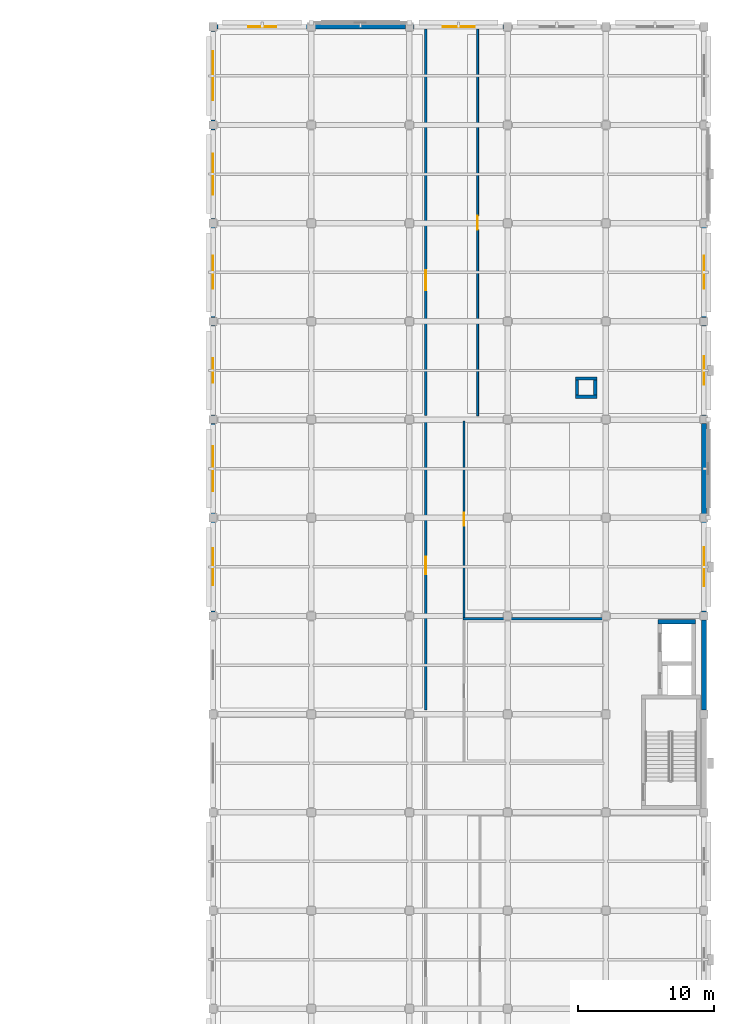
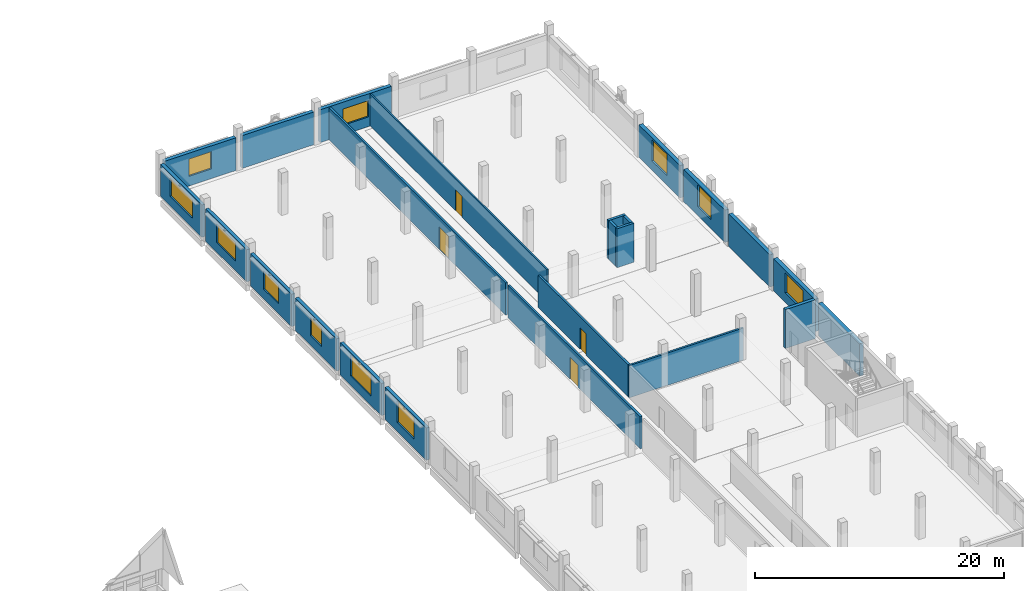
# One storey, part 48 of 62: 24 walls, 11 windows, 4 doors, 15 openings.
"""IFC4 building model written with IfcOpenShell, lengths in metres."""

from ifc_helpers import new_model, si_unit, direction, frame, frame_2d, origin, place, context, subcontext, project, spatial, rectangle, extrude, material, layer, layer_set, type_object, element, fill, save


model = new_model("IFC4")

# Units and contexts
model_context = context("Model", 3, precision=1e-05, world=origin(), true_north=direction((0.0, 1.0)))
body_context = subcontext(model_context, "Body", "Model", "MODEL_VIEW")
ifc_project = project(units=[si_unit("LENGTHUNIT", "METRE"), si_unit("AREAUNIT", "SQUARE_METRE"), si_unit("VOLUMEUNIT", "CUBIC_METRE"), si_unit("PLANEANGLEUNIT", "RADIAN"), si_unit("MASSUNIT", "GRAM", prefix="KILO")], contexts=[model_context])

# Site, building, storey
site_placement = place(None, origin())
site = spatial("IfcSite", under=ifc_project, at=site_placement, CompositionType="ELEMENT")
building_placement = place(site_placement, origin())
building = spatial("IfcBuilding", under=site, at=building_placement, Name="Valkovuoma Quantum and Materials Research Institute", CompositionType="ELEMENT")
storey_placement = place(building_placement, frame((0.0, 0.0, 13.1201171875)))
storey = spatial("IfcBuildingStorey", under=building, at=storey_placement, Name="L03", CompositionType="ELEMENT", Elevation=13.1201171875)

# Wall
ifc_material_1 = material(Name="Concrete C40/50", Category="concrete")
ifc_layer_1 = layer(ifc_material_1, 0.300048828125)
ifc_layer_set_1 = layer_set([ifc_layer_1], Name="Concrete C40/50")
wall_type_1 = type_object("IfcWallType", Name="Wall-W-COR300", PredefinedType="SHEAR", material=ifc_layer_set_1)
wall_1_placement = place(storey_placement, frame((162.219970703125, 71.580078125, 0.0), z_axis=(0.0, 0.0, 1.0), x_axis=(1.0, 0.0, 0.0)))
element("IfcWall", 1, at=wall_1_placement, inside=storey, type_object=wall_type_1, Name="L03 core wall 0235", PredefinedType="SHEAR", context=body_context, shape_type="SweptSolid", body=[
    extrude(rectangle(XDim=2.760009765625, YDim=0.300048828125, at=frame_2d((1.3798828125, 0.0))), origin(), (0.0, 0.0, 1.0), 3.809814453125),
])

# Wall, opening, window
ifc_material_2 = material(Name="Precast concrete C40/50", Category="concrete")
ifc_layer_2 = layer(ifc_material_2, 0.300048828125)
ifc_layer_set_2 = layer_set([ifc_layer_2], Name="Precast concrete C40/50")
wall_type_2 = type_object("IfcWallType", Name="Wall-W-EXT300", PredefinedType="SOLIDWALL", material=ifc_layer_set_2)
wall_2_placement = place(storey_placement, frame((129.60009765625, 72.2900390625, 0.0), z_axis=(0.0, 0.0, 1.0), x_axis=(0.0, 1.0, 0.0)))
wall_2 = element("IfcWall", 2, at=wall_2_placement, inside=storey, type_object=wall_type_2, Name="L03 exterior wall 0290", PredefinedType="SOLIDWALL", context=body_context, shape_type="SweptSolid", body=[
    extrude(rectangle(XDim=6.619873046875, YDim=0.300048828125, at=frame_2d((3.31005859375, 0.0))), origin(), (0.0, 0.0, 1.0), 3.159912109375),
])
opening_1_placement = place(wall_2_placement, frame((1.9599609375, 0.0, 0.89990234375)))
opening_1 = element("IfcOpeningElement", 3, at=opening_1_placement, cuts=wall_2, Name="Opening WN-WL04", PredefinedType="OPENING", context=body_context, shape_type="SweptSolid", body=[
    extrude(rectangle(XDim=2.699951171875, YDim=2.10009765625, at=frame_2d((1.35009765625, 1.050048828125))), frame((0.0, 0.16015625, 0.0), z_axis=(0.0, -1.0, 0.0), x_axis=(1.0, 0.0, 0.0)), (0.0, 0.0, 1.0), 0.320068359375),
])
ifc_material_3 = material(Name="Triple low-E argon glazing in thermally broken aluminium frame", Category="aluminium")
window_type_1 = type_object("IfcWindowType", Name="Win-WN-WL04", PartitioningType="SINGLE_PANEL", PredefinedType="WINDOW", material=ifc_material_3)
window_1_placement = place(opening_1_placement, origin())
window_1 = element("IfcWindow", 4, at=window_1_placement, inside=storey, type_object=window_type_1, Name="L03 window 0301", OverallHeight=2.10009765625, OverallWidth=2.699951171875, PartitioningType="SINGLE_PANEL", PredefinedType="WINDOW", context=body_context, shape_type="SweptSolid", body=[
    extrude(rectangle(XDim=2.699951171875, YDim=2.10009765625, at=frame_2d((1.35009765625, 1.050048828125))), frame((0.0, 0.030029296875, 0.0), z_axis=(0.0, -1.0, 0.0), x_axis=(1.0, 0.0, 0.0)), (0.0, 0.0, 1.0), 0.06005859375),
])
fill(opening_1, window_1)

wall_3_placement = place(storey_placement, frame((129.60009765625, 79.489990234375, 0.0), z_axis=(0.0, 0.0, 1.0), x_axis=(0.0, 1.0, 0.0)))
wall_3 = element("IfcWall", 5, at=wall_3_placement, inside=storey, type_object=wall_type_2, Name="L03 exterior wall 0291", PredefinedType="SOLIDWALL", context=body_context, shape_type="SweptSolid", body=[
    extrude(rectangle(XDim=6.6201171875, YDim=0.300048828125, at=frame_2d((3.31005859375, 0.0))), origin(), (0.0, 0.0, 1.0), 3.159912109375),
])
opening_2_placement = place(wall_3_placement, frame((1.659912109375, 0.0, 0.89990234375)))
opening_2 = element("IfcOpeningElement", 6, at=opening_2_placement, cuts=wall_3, Name="Opening WN-WL06", PredefinedType="OPENING", context=body_context, shape_type="SweptSolid", body=[
    extrude(rectangle(XDim=3.300048828125, YDim=2.10009765625, at=frame_2d((1.64990234375, 1.050048828125))), frame((0.0, 0.16015625, 0.0), z_axis=(0.0, -1.0, 0.0), x_axis=(1.0, 0.0, 0.0)), (0.0, 0.0, 1.0), 0.320068359375),
])
ifc_material_4 = material(Name="Triple low-E argon glazing in thermally broken aluminium frame", Category="aluminium")
window_type_2 = type_object("IfcWindowType", Name="Win-WN-WL06", PartitioningType="SINGLE_PANEL", PredefinedType="WINDOW", material=ifc_material_4)
window_2_placement = place(opening_2_placement, origin())
window_2 = element("IfcWindow", 7, at=window_2_placement, inside=storey, type_object=window_type_2, Name="L03 window 0302", OverallHeight=2.10009765625, OverallWidth=3.300048828125, PartitioningType="SINGLE_PANEL", PredefinedType="WINDOW", context=body_context, shape_type="SweptSolid", body=[
    extrude(rectangle(XDim=3.300048828125, YDim=2.10009765625, at=frame_2d((1.64990234375, 1.050048828125))), frame((0.0, 0.030029296875, 0.0), z_axis=(0.0, -1.0, 0.0), x_axis=(1.0, 0.0, 0.0)), (0.0, 0.0, 1.0), 0.06005859375),
])
fill(opening_2, window_2)

wall_4_placement = place(storey_placement, frame((129.60009765625, 86.68994140625, 0.0), z_axis=(0.0, 0.0, 1.0), x_axis=(0.0, 1.0, 0.0)))
wall_4 = element("IfcWall", 8, at=wall_4_placement, inside=storey, type_object=wall_type_2, Name="L03 exterior wall 0292", PredefinedType="SOLIDWALL", context=body_context, shape_type="SweptSolid", body=[
    extrude(rectangle(XDim=6.6201171875, YDim=0.300048828125, at=frame_2d((3.31005859375, 0.0))), origin(), (0.0, 0.0, 1.0), 3.159912109375),
])
opening_3_placement = place(wall_4_placement, frame((2.409912109375, 0.0, 0.949951171875)))
opening_3 = element("IfcOpeningElement", 9, at=opening_3_placement, cuts=wall_4, Name="Opening WN-WL08", PredefinedType="OPENING", context=body_context, shape_type="SweptSolid", body=[
    extrude(rectangle(XDim=1.800048828125, YDim=1.800048828125, at=frame_2d((0.89990234375, 0.89990234375))), frame((0.0, 0.16015625, 0.0), z_axis=(0.0, -1.0, 0.0), x_axis=(1.0, 0.0, 0.0)), (0.0, 0.0, 1.0), 0.320068359375),
])
ifc_material_5 = material(Name="Triple low-E argon glazing in thermally broken aluminium frame", Category="aluminium")
window_type_3 = type_object("IfcWindowType", Name="Win-WN-WL08", PartitioningType="SINGLE_PANEL", PredefinedType="WINDOW", material=ifc_material_5)
window_3_placement = place(opening_3_placement, origin())
window_3 = element("IfcWindow", 10, at=window_3_placement, inside=storey, type_object=window_type_3, Name="L03 window 0303", OverallHeight=1.800048828125, OverallWidth=1.800048828125, PartitioningType="SINGLE_PANEL", PredefinedType="WINDOW", context=body_context, shape_type="SweptSolid", body=[
    extrude(rectangle(XDim=1.800048828125, YDim=1.800048828125, at=frame_2d((0.89990234375, 0.89990234375))), frame((0.0, 0.030029296875, 0.0), z_axis=(0.0, -1.0, 0.0), x_axis=(1.0, 0.0, 0.0)), (0.0, 0.0, 1.0), 0.06005859375),
])
fill(opening_3, window_3)

wall_5_placement = place(storey_placement, frame((129.60009765625, 93.889892578125, 0.0), z_axis=(0.0, 0.0, 1.0), x_axis=(0.0, 1.0, 0.0)))
wall_5 = element("IfcWall", 11, at=wall_5_placement, inside=storey, type_object=wall_type_2, Name="L03 exterior wall 0293", PredefinedType="SOLIDWALL", context=body_context, shape_type="SweptSolid", body=[
    extrude(rectangle(XDim=6.6201171875, YDim=0.300048828125, at=frame_2d((3.31005859375, 0.0))), origin(), (0.0, 0.0, 1.0), 3.159912109375),
])
opening_4_placement = place(wall_5_placement, frame((2.110107421875, 0.0, 0.949951171875)))
opening_4 = element("IfcOpeningElement", 12, at=opening_4_placement, cuts=wall_5, Name="Opening WN-WL10", PredefinedType="OPENING", context=body_context, shape_type="SweptSolid", body=[
    extrude(rectangle(XDim=2.39990234375, YDim=1.800048828125, at=frame_2d((1.199951171875, 0.89990234375))), frame((0.0, 0.16015625, 0.0), z_axis=(0.0, -1.0, 0.0), x_axis=(1.0, 0.0, 0.0)), (0.0, 0.0, 1.0), 0.320068359375),
])
ifc_material_6 = material(Name="Triple low-E argon glazing in thermally broken aluminium frame", Category="aluminium")
window_type_4 = type_object("IfcWindowType", Name="Win-WN-WL10", PartitioningType="SINGLE_PANEL", PredefinedType="WINDOW", material=ifc_material_6)
window_4_placement = place(opening_4_placement, origin())
window_4 = element("IfcWindow", 13, at=window_4_placement, inside=storey, type_object=window_type_4, Name="L03 window 0304", OverallHeight=1.800048828125, OverallWidth=2.39990234375, PartitioningType="SINGLE_PANEL", PredefinedType="WINDOW", context=body_context, shape_type="SweptSolid", body=[
    extrude(rectangle(XDim=2.39990234375, YDim=1.800048828125, at=frame_2d((1.199951171875, 0.89990234375))), frame((0.0, 0.030029296875, 0.0), z_axis=(0.0, -1.0, 0.0), x_axis=(1.0, 0.0, 0.0)), (0.0, 0.0, 1.0), 0.06005859375),
])
fill(opening_4, window_4)

wall_6_placement = place(storey_placement, frame((129.60009765625, 101.090087890625, 0.0), z_axis=(0.0, 0.0, 1.0), x_axis=(0.0, 1.0, 0.0)))
wall_6 = element("IfcWall", 14, at=wall_6_placement, inside=storey, type_object=wall_type_2, Name="L03 exterior wall 0294", PredefinedType="SOLIDWALL", context=body_context, shape_type="SweptSolid", body=[
    extrude(rectangle(XDim=6.619873046875, YDim=0.300048828125, at=frame_2d((3.31005859375, 0.0))), origin(), (0.0, 0.0, 1.0), 3.159912109375),
])
opening_5_placement = place(wall_6_placement, frame((1.81005859375, 0.0, 0.949951171875)))
opening_5 = element("IfcOpeningElement", 15, at=opening_5_placement, cuts=wall_6, Name="Opening WN-WL12", PredefinedType="OPENING", context=body_context, shape_type="SweptSolid", body=[
    extrude(rectangle(XDim=3.0, YDim=1.800048828125, at=frame_2d((1.5, 0.89990234375))), frame((0.0, 0.16015625, 0.0), z_axis=(0.0, -1.0, 0.0), x_axis=(1.0, 0.0, 0.0)), (0.0, 0.0, 1.0), 0.320068359375),
])
ifc_material_7 = material(Name="Triple low-E argon glazing in thermally broken aluminium frame", Category="aluminium")
window_type_5 = type_object("IfcWindowType", Name="Win-WN-WL12", PartitioningType="SINGLE_PANEL", PredefinedType="WINDOW", material=ifc_material_7)
window_5_placement = place(opening_5_placement, origin())
window_5 = element("IfcWindow", 16, at=window_5_placement, inside=storey, type_object=window_type_5, Name="L03 window 0305", OverallHeight=1.800048828125, OverallWidth=3.0, PartitioningType="SINGLE_PANEL", PredefinedType="WINDOW", context=body_context, shape_type="SweptSolid", body=[
    extrude(rectangle(XDim=3.0, YDim=1.800048828125, at=frame_2d((1.5, 0.89990234375))), frame((0.0, 0.030029296875, 0.0), z_axis=(0.0, -1.0, 0.0), x_axis=(1.0, 0.0, 0.0)), (0.0, 0.0, 1.0), 0.06005859375),
])
fill(opening_5, window_5)

wall_7_placement = place(storey_placement, frame((129.60009765625, 108.2900390625, 0.0), z_axis=(0.0, 0.0, 1.0), x_axis=(0.0, 1.0, 0.0)))
wall_7 = element("IfcWall", 17, at=wall_7_placement, inside=storey, type_object=wall_type_2, Name="L03 exterior wall 0295", PredefinedType="SOLIDWALL", context=body_context, shape_type="SweptSolid", body=[
    extrude(rectangle(XDim=6.619873046875, YDim=0.300048828125, at=frame_2d((3.31005859375, 0.0))), origin(), (0.0, 0.0, 1.0), 3.159912109375),
])
opening_6_placement = place(wall_7_placement, frame((1.510009765625, 0.0, 0.949951171875)))
opening_6 = element("IfcOpeningElement", 18, at=opening_6_placement, cuts=wall_7, Name="Opening WN-WL14", PredefinedType="OPENING", context=body_context, shape_type="SweptSolid", body=[
    extrude(rectangle(XDim=3.60009765625, YDim=1.800048828125, at=frame_2d((1.800048828125, 0.89990234375))), frame((0.0, 0.16015625, 0.0), z_axis=(0.0, -1.0, 0.0), x_axis=(1.0, 0.0, 0.0)), (0.0, 0.0, 1.0), 0.320068359375),
])
ifc_material_8 = material(Name="Triple low-E argon glazing in thermally broken aluminium frame", Category="aluminium")
window_type_6 = type_object("IfcWindowType", Name="Win-WN-WL14", PartitioningType="SINGLE_PANEL", PredefinedType="WINDOW", material=ifc_material_8)
window_6_placement = place(opening_6_placement, origin())
window_6 = element("IfcWindow", 19, at=window_6_placement, inside=storey, type_object=window_type_6, Name="L03 window 0306", OverallHeight=1.800048828125, OverallWidth=3.60009765625, PartitioningType="SINGLE_PANEL", PredefinedType="WINDOW", context=body_context, shape_type="SweptSolid", body=[
    extrude(rectangle(XDim=3.60009765625, YDim=1.800048828125, at=frame_2d((1.800048828125, 0.89990234375))), frame((0.0, 0.030029296875, 0.0), z_axis=(0.0, -1.0, 0.0), x_axis=(1.0, 0.0, 0.0)), (0.0, 0.0, 1.0), 0.06005859375),
])
fill(opening_6, window_6)

ifc_material_9 = material(Name="Precast concrete C40/50", Category="concrete")
ifc_layer_3 = layer(ifc_material_9, 0.340087890625)
ifc_layer_set_3 = layer_set([ifc_layer_3], Name="Precast concrete C40/50")
wall_type_3 = type_object("IfcWallType", Name="Wall-W-EXT340", PredefinedType="SOLIDWALL", material=ifc_layer_set_3)
wall_8_placement = place(storey_placement, frame((129.889892578125, 115.199951171875, 0.0), z_axis=(0.0, 0.0, 1.0), x_axis=(1.0, 0.0, 0.0)))
wall_8 = element("IfcWall", 20, at=wall_8_placement, inside=storey, type_object=wall_type_3, Name="L03 exterior wall 0280", PredefinedType="SOLIDWALL", context=body_context, shape_type="SweptSolid", body=[
    extrude(rectangle(XDim=6.6201171875, YDim=0.340087890625, at=frame_2d((3.31005859375, 0.0))), origin(), (0.0, 0.0, 1.0), 3.2099609375),
])
opening_7_placement = place(wall_8_placement, frame((2.284912109375, 0.0, 0.949951171875)))
opening_7 = element("IfcOpeningElement", 21, at=opening_7_placement, cuts=wall_8, Name="Opening WN-EX12", PredefinedType="OPENING", context=body_context, shape_type="SweptSolid", body=[
    extrude(rectangle(XDim=2.050048828125, YDim=1.699951171875, at=frame_2d((1.02490234375, 0.85009765625))), frame((0.0, 0.18017578125, 0.0), z_axis=(0.0, -1.0, 0.0), x_axis=(1.0, 0.0, 0.0)), (0.0, 0.0, 1.0), 0.360107421875),
])
ifc_material_10 = material(Name="Triple low-E argon glazing in thermally broken aluminium frame", Category="aluminium")
window_type_7 = type_object("IfcWindowType", Name="Win-WN-EX12", PartitioningType="SINGLE_PANEL", PredefinedType="WINDOW", material=ifc_material_10)
window_7_placement = place(opening_7_placement, origin())
window_7 = element("IfcWindow", 22, at=window_7_placement, inside=storey, type_object=window_type_7, Name="L03 window 0292", OverallHeight=1.699951171875, OverallWidth=2.050048828125, PartitioningType="SINGLE_PANEL", PredefinedType="WINDOW", context=body_context, shape_type="SweptSolid", body=[
    extrude(rectangle(XDim=2.050048828125, YDim=1.699951171875, at=frame_2d((1.02490234375, 0.85009765625))), frame((0.0, 0.030029296875, 0.0), z_axis=(0.0, -1.0, 0.0), x_axis=(1.0, 0.0, 0.0)), (0.0, 0.0, 1.0), 0.06005859375),
])
fill(opening_7, window_7)

# Wall
wall_9_placement = place(storey_placement, frame((137.090087890625, 115.199951171875, 0.0), z_axis=(0.0, 0.0, 1.0), x_axis=(1.0, 0.0, 0.0)))
element("IfcWall", 23, at=wall_9_placement, inside=storey, type_object=wall_type_3, Name="L03 exterior wall 0281", PredefinedType="SOLIDWALL", context=body_context, shape_type="SweptSolid", body=[
    extrude(rectangle(XDim=6.619873046875, YDim=0.340087890625, at=frame_2d((3.31005859375, 0.0))), origin(), (0.0, 0.0, 1.0), 3.2099609375),
])

# Wall, opening, window
wall_10_placement = place(storey_placement, frame((144.2900390625, 115.199951171875, 0.0), z_axis=(0.0, 0.0, 1.0), x_axis=(1.0, 0.0, 0.0)))
wall_10 = element("IfcWall", 24, at=wall_10_placement, inside=storey, type_object=wall_type_3, Name="L03 exterior wall 0282", PredefinedType="SOLIDWALL", context=body_context, shape_type="SweptSolid", body=[
    extrude(rectangle(XDim=6.619873046875, YDim=0.340087890625, at=frame_2d((3.31005859375, 0.0))), origin(), (0.0, 0.0, 1.0), 3.2099609375),
])
opening_8_placement = place(wall_10_placement, frame((2.135009765625, 0.0, 0.949951171875)))
opening_8 = element("IfcOpeningElement", 25, at=opening_8_placement, cuts=wall_10, Name="Opening WN-EX14", PredefinedType="OPENING", context=body_context, shape_type="SweptSolid", body=[
    extrude(rectangle(XDim=2.35009765625, YDim=1.60009765625, at=frame_2d((1.175048828125, 0.800048828125))), frame((0.0, 0.18017578125, 0.0), z_axis=(0.0, -1.0, 0.0), x_axis=(1.0, 0.0, 0.0)), (0.0, 0.0, 1.0), 0.360107421875),
])
ifc_material_11 = material(Name="Triple low-E argon glazing in thermally broken aluminium frame", Category="aluminium")
window_type_8 = type_object("IfcWindowType", Name="Win-WN-EX14", PartitioningType="SINGLE_PANEL", PredefinedType="WINDOW", material=ifc_material_11)
window_8_placement = place(opening_8_placement, origin())
window_8 = element("IfcWindow", 26, at=window_8_placement, inside=storey, type_object=window_type_8, Name="L03 window 0293", OverallHeight=1.60009765625, OverallWidth=2.35009765625, PartitioningType="SINGLE_PANEL", PredefinedType="WINDOW", context=body_context, shape_type="SweptSolid", body=[
    extrude(rectangle(XDim=2.35009765625, YDim=1.60009765625, at=frame_2d((1.175048828125, 0.800048828125))), frame((0.0, 0.030029296875, 0.0), z_axis=(0.0, -1.0, 0.0), x_axis=(1.0, 0.0, 0.0)), (0.0, 0.0, 1.0), 0.06005859375),
])
fill(opening_8, window_8)

# Wall
ifc_material_12 = material(Name="Precast concrete C40/50", Category="concrete")
ifc_layer_4 = layer(ifc_material_12, 0.360107421875)
ifc_layer_set_4 = layer_set([ifc_layer_4], Name="Precast concrete C40/50")
wall_type_4 = type_object("IfcWallType", Name="Wall-W-EXT360", PredefinedType="SOLIDWALL", material=ifc_layer_set_4)
wall_11_placement = place(storey_placement, frame((165.60009765625, 65.090087890625, 0.0), z_axis=(0.0, 0.0, 1.0), x_axis=(0.0, 1.0, 0.0)))
element("IfcWall", 27, at=wall_11_placement, inside=storey, type_object=wall_type_4, Name="L03 exterior wall 0273", PredefinedType="SOLIDWALL", context=body_context, shape_type="SweptSolid", body=[
    extrude(rectangle(XDim=6.619873046875, YDim=0.360107421875, at=frame_2d((3.31005859375, 0.0))), origin(), (0.0, 0.0, 1.0), 3.159912109375),
])

# Wall, opening, window
wall_12_placement = place(storey_placement, frame((165.60009765625, 72.2900390625, 0.0), z_axis=(0.0, 0.0, 1.0), x_axis=(0.0, 1.0, 0.0)))
wall_12 = element("IfcWall", 28, at=wall_12_placement, inside=storey, type_object=wall_type_4, Name="L03 exterior wall 0274", PredefinedType="SOLIDWALL", context=body_context, shape_type="SweptSolid", body=[
    extrude(rectangle(XDim=6.619873046875, YDim=0.360107421875, at=frame_2d((3.31005859375, 0.0))), origin(), (0.0, 0.0, 1.0), 3.159912109375),
])
opening_9_placement = place(wall_12_placement, frame((1.885009765625, 0.0, 0.949951171875)))
opening_9 = element("IfcOpeningElement", 29, at=opening_9_placement, cuts=wall_12, Name="Opening WN-WL20", PredefinedType="OPENING", context=body_context, shape_type="SweptSolid", body=[
    extrude(rectangle(XDim=2.85009765625, YDim=1.949951171875, at=frame_2d((1.425048828125, 0.97509765625))), frame((0.0, 0.18994140625, 0.0), z_axis=(0.0, -1.0, 0.0), x_axis=(1.0, 0.0, 0.0)), (0.0, 0.0, 1.0), 0.380126953125),
])
ifc_material_13 = material(Name="Triple low-E argon glazing in thermally broken aluminium frame", Category="aluminium")
window_type_9 = type_object("IfcWindowType", Name="Win-WN-WL20", PartitioningType="SINGLE_PANEL", PredefinedType="WINDOW", material=ifc_material_13)
window_9_placement = place(opening_9_placement, origin())
window_9 = element("IfcWindow", 30, at=window_9_placement, inside=storey, type_object=window_type_9, Name="L03 window 0288", OverallHeight=1.949951171875, OverallWidth=2.85009765625, PartitioningType="SINGLE_PANEL", PredefinedType="WINDOW", context=body_context, shape_type="SweptSolid", body=[
    extrude(rectangle(XDim=2.85009765625, YDim=1.949951171875, at=frame_2d((1.425048828125, 0.97509765625))), frame((0.0, 0.030029296875, 0.0), z_axis=(0.0, -1.0, 0.0), x_axis=(1.0, 0.0, 0.0)), (0.0, 0.0, 1.0), 0.06005859375),
])
fill(opening_9, window_9)

# Wall
wall_13_placement = place(storey_placement, frame((165.60009765625, 79.489990234375, 0.0), z_axis=(0.0, 0.0, 1.0), x_axis=(0.0, 1.0, 0.0)))
element("IfcWall", 31, at=wall_13_placement, inside=storey, type_object=wall_type_4, Name="L03 exterior wall 0275", PredefinedType="SOLIDWALL", context=body_context, shape_type="SweptSolid", body=[
    extrude(rectangle(XDim=6.6201171875, YDim=0.360107421875, at=frame_2d((3.31005859375, 0.0))), origin(), (0.0, 0.0, 1.0), 3.159912109375),
])

# Wall, opening, window
wall_14_placement = place(storey_placement, frame((165.60009765625, 86.68994140625, 0.0), z_axis=(0.0, 0.0, 1.0), x_axis=(0.0, 1.0, 0.0)))
wall_14 = element("IfcWall", 32, at=wall_14_placement, inside=storey, type_object=wall_type_4, Name="L03 exterior wall 0276", PredefinedType="SOLIDWALL", context=body_context, shape_type="SweptSolid", body=[
    extrude(rectangle(XDim=6.6201171875, YDim=0.360107421875, at=frame_2d((3.31005859375, 0.0))), origin(), (0.0, 0.0, 1.0), 3.159912109375),
])
opening_10_placement = place(wall_14_placement, frame((2.260009765625, 0.0, 0.89990234375)))
opening_10 = element("IfcOpeningElement", 33, at=opening_10_placement, cuts=wall_14, Name="Opening WN-WL02", PredefinedType="OPENING", context=body_context, shape_type="SweptSolid", body=[
    extrude(rectangle(XDim=2.10009765625, YDim=2.10009765625, at=frame_2d((1.050048828125, 1.050048828125))), frame((0.0, 0.18994140625, 0.0), z_axis=(0.0, -1.0, 0.0), x_axis=(1.0, 0.0, 0.0)), (0.0, 0.0, 1.0), 0.380126953125),
])
ifc_material_14 = material(Name="Triple low-E argon glazing in thermally broken aluminium frame", Category="aluminium")
window_type_10 = type_object("IfcWindowType", Name="Win-WN-WL02", PartitioningType="SINGLE_PANEL", PredefinedType="WINDOW", material=ifc_material_14)
window_10_placement = place(opening_10_placement, origin())
window_10 = element("IfcWindow", 34, at=window_10_placement, inside=storey, type_object=window_type_10, Name="L03 window 0289", OverallHeight=2.10009765625, OverallWidth=2.10009765625, PartitioningType="SINGLE_PANEL", PredefinedType="WINDOW", context=body_context, shape_type="SweptSolid", body=[
    extrude(rectangle(XDim=2.10009765625, YDim=2.10009765625, at=frame_2d((1.050048828125, 1.050048828125))), frame((0.0, 0.030029296875, 0.0), z_axis=(0.0, -1.0, 0.0), x_axis=(1.0, 0.0, 0.0)), (0.0, 0.0, 1.0), 0.06005859375),
])
fill(opening_10, window_10)

wall_15_placement = place(storey_placement, frame((165.60009765625, 93.889892578125, 0.0), z_axis=(0.0, 0.0, 1.0), x_axis=(0.0, 1.0, 0.0)))
wall_15 = element("IfcWall", 35, at=wall_15_placement, inside=storey, type_object=wall_type_4, Name="L03 exterior wall 0277", PredefinedType="SOLIDWALL", context=body_context, shape_type="SweptSolid", body=[
    extrude(rectangle(XDim=6.6201171875, YDim=0.360107421875, at=frame_2d((3.31005859375, 0.0))), origin(), (0.0, 0.0, 1.0), 3.159912109375),
])
opening_11_placement = place(wall_15_placement, frame((2.110107421875, 0.0, 0.89990234375)))
opening_11 = element("IfcOpeningElement", 36, at=opening_11_placement, cuts=wall_15, Name="Opening WN-WL03", PredefinedType="OPENING", context=body_context, shape_type="SweptSolid", body=[
    extrude(rectangle(XDim=2.39990234375, YDim=2.10009765625, at=frame_2d((1.199951171875, 1.050048828125))), frame((0.0, 0.18994140625, 0.0), z_axis=(0.0, -1.0, 0.0), x_axis=(1.0, 0.0, 0.0)), (0.0, 0.0, 1.0), 0.380126953125),
])
ifc_material_15 = material(Name="Triple low-E argon glazing in thermally broken aluminium frame", Category="aluminium")
window_type_11 = type_object("IfcWindowType", Name="Win-WN-WL03", PartitioningType="SINGLE_PANEL", PredefinedType="WINDOW", material=ifc_material_15)
window_11_placement = place(opening_11_placement, origin())
window_11 = element("IfcWindow", 37, at=window_11_placement, inside=storey, type_object=window_type_11, Name="L03 window 0290", OverallHeight=2.10009765625, OverallWidth=2.39990234375, PartitioningType="SINGLE_PANEL", PredefinedType="WINDOW", context=body_context, shape_type="SweptSolid", body=[
    extrude(rectangle(XDim=2.39990234375, YDim=2.10009765625, at=frame_2d((1.199951171875, 1.050048828125))), frame((0.0, 0.030029296875, 0.0), z_axis=(0.0, -1.0, 0.0), x_axis=(1.0, 0.0, 0.0)), (0.0, 0.0, 1.0), 0.06005859375),
])
fill(opening_11, window_11)

# Wall, opening, door
ifc_material_16 = material(Name="Interior office stud partition", Category="masonry")
ifc_layer_5 = layer(ifc_material_16, 0.135009765625)
ifc_layer_set_5 = layer_set([ifc_layer_5], Name="Interior office stud partition")
wall_type_5 = type_object("IfcWallType", Name="Wall-W-PRT135", PredefinedType="PARTITIONING", material=ifc_layer_set_5)
wall_16_placement = place(storey_placement, frame((148.9951171875, 86.66748046875, 0.0), z_axis=(0.0, 0.0, 1.0), x_axis=(0.0, 1.0, 0.0)))
wall_16 = element("IfcWall", 38, at=wall_16_placement, inside=storey, type_object=wall_type_5, Name="L03 partition 0177", PredefinedType="PARTITIONING", context=body_context, shape_type="SweptSolid", body=[
    extrude(rectangle(XDim=28.362548828125, YDim=0.135009765625, at=frame_2d((14.18115234375, 0.0))), origin(), (0.0, 0.0, 1.0), 3.159912109375),
])
opening_12_placement = place(wall_16_placement, frame((13.666259765625, 0.0, 0.0)))
opening_12 = element("IfcOpeningElement", 39, at=opening_12_placement, cuts=wall_16, Name="Opening ID-0127", PredefinedType="OPENING", context=body_context, shape_type="SweptSolid", body=[
    extrude(rectangle(XDim=1.030029296875, YDim=2.080078125, at=frame_2d((0.51513671875, 1.0400390625))), frame((0.0, 0.07763671875, 0.0), z_axis=(0.0, -1.0, 0.0), x_axis=(1.0, 0.0, 0.0)), (0.0, 0.0, 1.0), 0.155029296875),
])
ifc_material_17 = material(Name="Powder-coated steel and acoustic timber door assembly", Category="steel")
door_type_1 = type_object("IfcDoorType", Name="Door-DR-RM03", OperationType="NOTDEFINED", PredefinedType="DOOR", material=ifc_material_17)
door_1_placement = place(opening_12_placement, origin())
door_1 = element("IfcDoor", 40, at=door_1_placement, inside=storey, type_object=door_type_1, Name="L03 room door 0127", OperationType="SINGLE_SWING_RIGHT", OverallHeight=2.080078125, OverallWidth=1.030029296875, PredefinedType="DOOR", context=body_context, shape_type="SweptSolid", body=[
    extrude(rectangle(XDim=1.030029296875, YDim=2.080078125, at=frame_2d((0.51513671875, 1.0400390625))), frame((0.0, 0.02490234375, 0.0), z_axis=(0.0, -1.0, 0.0), x_axis=(1.0, 0.0, 0.0)), (0.0, 0.0, 1.0), 0.050048828125),
])
fill(opening_12, door_1)

ifc_material_18 = material(Name="Laboratory fire-rated gypsum partition", Category="masonry")
ifc_layer_6 = layer(ifc_material_18, 0.179931640625)
ifc_layer_set_6 = layer_set([ifc_layer_6], Name="Laboratory fire-rated gypsum partition")
wall_type_6 = type_object("IfcWallType", Name="Wall-W-PRT180", PredefinedType="PARTITIONING", material=ifc_layer_set_6)
wall_17_placement = place(storey_placement, frame((145.199951171875, 65.090087890625, 0.0), z_axis=(0.0, 0.0, 1.0), x_axis=(0.0, 1.0, 0.0)))
wall_17 = element("IfcWall", 41, at=wall_17_placement, inside=storey, type_object=wall_type_6, Name="L03 partition 0171", PredefinedType="PARTITIONING", context=body_context, shape_type="SweptSolid", body=[
    extrude(rectangle(XDim=21.219970703125, YDim=0.179931640625, at=frame_2d((10.60986328125, 0.0))), origin(), (0.0, 0.0, 1.0), 3.159912109375),
])
opening_13_placement = place(wall_17_placement, frame((9.9599609375, 0.0, 0.0)))
opening_13 = element("IfcOpeningElement", 42, at=opening_13_placement, cuts=wall_17, Name="Opening ID-0122", PredefinedType="OPENING", context=body_context, shape_type="SweptSolid", body=[
    extrude(rectangle(XDim=1.300048828125, YDim=2.14990234375, at=frame_2d((0.64990234375, 1.074951171875))), frame((0.0, 0.10009765625, 0.0), z_axis=(0.0, -1.0, 0.0), x_axis=(1.0, 0.0, 0.0)), (0.0, 0.0, 1.0), 0.199951171875),
])
ifc_material_19 = material(Name="Powder-coated steel and acoustic timber door assembly", Category="steel")
door_type_2 = type_object("IfcDoorType", Name="Door-DR-SM02", OperationType="NOTDEFINED", PredefinedType="DOOR", material=ifc_material_19)
door_2_placement = place(opening_13_placement, origin())
door_2 = element("IfcDoor", 43, at=door_2_placement, inside=storey, type_object=door_type_2, Name="L03 room door 0122", OperationType="SINGLE_SWING_LEFT", OverallHeight=2.14990234375, OverallWidth=1.300048828125, PredefinedType="DOOR", context=body_context, shape_type="SweptSolid", body=[
    extrude(rectangle(XDim=1.300048828125, YDim=2.14990234375, at=frame_2d((0.64990234375, 1.074951171875))), frame((0.0, 0.02490234375, 0.0), z_axis=(0.0, -1.0, 0.0), x_axis=(1.0, 0.0, 0.0)), (0.0, 0.0, 1.0), 0.050048828125),
])
fill(opening_13, door_2)

wall_18_placement = place(storey_placement, frame((145.199951171875, 86.68994140625, 0.0), z_axis=(0.0, 0.0, 1.0), x_axis=(0.0, 1.0, 0.0)))
wall_18 = element("IfcWall", 44, at=wall_18_placement, inside=storey, type_object=wall_type_6, Name="L03 partition 0172", PredefinedType="PARTITIONING", context=body_context, shape_type="SweptSolid", body=[
    extrude(rectangle(XDim=28.340087890625, YDim=0.179931640625, at=frame_2d((14.169921875, 0.0))), origin(), (0.0, 0.0, 1.0), 3.159912109375),
])
opening_14_placement = place(wall_18_placement, frame((9.194091796875, 0.0, 0.0)))
opening_14 = element("IfcOpeningElement", 45, at=opening_14_placement, cuts=wall_18, Name="Opening ID-0123", PredefinedType="OPENING", context=body_context, shape_type="SweptSolid", body=[
    extrude(rectangle(XDim=1.449951171875, YDim=2.199951171875, at=frame_2d((0.72509765625, 1.10009765625))), frame((0.0, 0.10009765625, 0.0), z_axis=(0.0, -1.0, 0.0), x_axis=(1.0, 0.0, 0.0)), (0.0, 0.0, 1.0), 0.199951171875),
])
ifc_material_20 = material(Name="Powder-coated steel and acoustic timber door assembly", Category="steel")
door_type_3 = type_object("IfcDoorType", Name="Door-DR-SM03", OperationType="NOTDEFINED", PredefinedType="DOOR", material=ifc_material_20)
door_3_placement = place(opening_14_placement, origin())
door_3 = element("IfcDoor", 46, at=door_3_placement, inside=storey, type_object=door_type_3, Name="L03 room door 0123", OperationType="SINGLE_SWING_RIGHT", OverallHeight=2.199951171875, OverallWidth=1.449951171875, PredefinedType="DOOR", context=body_context, shape_type="SweptSolid", body=[
    extrude(rectangle(XDim=1.449951171875, YDim=2.199951171875, at=frame_2d((0.72509765625, 1.10009765625))), frame((0.0, 0.02490234375, 0.0), z_axis=(0.0, -1.0, 0.0), x_axis=(1.0, 0.0, 0.0)), (0.0, 0.0, 1.0), 0.050048828125),
])
fill(opening_14, door_3)

# Wall
wall_19_placement = place(storey_placement, frame((147.909912109375, 71.800048828125, 0.0), z_axis=(0.0, 0.0, 1.0), x_axis=(1.0, 0.0, 0.0)))
element("IfcWall", 47, at=wall_19_placement, inside=storey, type_object=wall_type_6, Name="L03 partition 0174", PredefinedType="PARTITIONING", context=body_context, shape_type="SweptSolid", body=[
    extrude(rectangle(XDim=10.580078125, YDim=0.179931640625, at=frame_2d((5.2900390625, 0.0))), origin(), (0.0, 0.0, 1.0), 3.159912109375),
])

# Wall, opening, door
wall_20_placement = place(storey_placement, frame((148.0, 71.889892578125, 0.0), z_axis=(0.0, 0.0, 1.0), x_axis=(0.0, 1.0, 0.0)))
wall_20 = element("IfcWall", 48, at=wall_20_placement, inside=storey, type_object=wall_type_6, Name="L03 partition 0176", PredefinedType="PARTITIONING", context=body_context, shape_type="SweptSolid", body=[
    extrude(rectangle(XDim=14.420166015625, YDim=0.179931640625, at=frame_2d((7.2099609375, 0.0))), origin(), (0.0, 0.0, 1.0), 3.159912109375),
])
opening_15_placement = place(wall_20_placement, frame((6.72509765625, 0.0, 0.0)))
opening_15 = element("IfcOpeningElement", 49, at=opening_15_placement, cuts=wall_20, Name="Opening ID-0126", PredefinedType="OPENING", context=body_context, shape_type="SweptSolid", body=[
    extrude(rectangle(XDim=0.969970703125, YDim=2.080078125, at=frame_2d((0.48486328125, 1.0400390625))), frame((0.0, 0.10009765625, 0.0), z_axis=(0.0, -1.0, 0.0), x_axis=(1.0, 0.0, 0.0)), (0.0, 0.0, 1.0), 0.199951171875),
])
ifc_material_21 = material(Name="Powder-coated steel and acoustic timber door assembly", Category="steel")
door_type_4 = type_object("IfcDoorType", Name="Door-DR-RM02", OperationType="NOTDEFINED", PredefinedType="DOOR", material=ifc_material_21)
door_4_placement = place(opening_15_placement, origin())
door_4 = element("IfcDoor", 50, at=door_4_placement, inside=storey, type_object=door_type_4, Name="L03 room door 0126", OperationType="SINGLE_SWING_LEFT", OverallHeight=2.080078125, OverallWidth=0.969970703125, PredefinedType="DOOR", context=body_context, shape_type="SweptSolid", body=[
    extrude(rectangle(XDim=0.969970703125, YDim=2.080078125, at=frame_2d((0.48486328125, 1.0400390625))), frame((0.0, 0.02490234375, 0.0), z_axis=(0.0, -1.0, 0.0), x_axis=(1.0, 0.0, 0.0)), (0.0, 0.0, 1.0), 0.050048828125),
])
fill(opening_15, door_4)

# Walls
ifc_material_22 = material(Name="Concrete C40/50", Category="concrete")
ifc_layer_7 = layer(ifc_material_22, 0.239990234375)
ifc_layer_set_7 = layer_set([ifc_layer_7], Name="Concrete C40/50")
wall_type_7 = type_object("IfcWallType", Name="Wall-W-SHF240", PredefinedType="SOLIDWALL", material=ifc_layer_set_7)
for number, where, z_axis, x_axis, name in (
    (51, (156.159912109375, 88.080078125, 0.0), (0.0, 0.0, 1.0), (1.0, 0.0, 0.0), "L03 core wall 0333"),
    (52, (156.159912109375, 89.419921875, 0.0), (0.0, 0.0, 1.0), (1.0, 0.0, 0.0), "L03 core wall 0334"),
):
    element("IfcWall", number, at=place(storey_placement, frame(where, z_axis=z_axis, x_axis=x_axis)), inside=storey, type_object=wall_type_7, Name=name, PredefinedType="SOLIDWALL", context=body_context, shape_type="SweptSolid", body=[
        extrude(rectangle(XDim=1.580078125, YDim=0.239990234375, at=frame_2d((0.7900390625, 0.0))), origin(), (0.0, 0.0, 1.0), 3.809814453125),
    ])
for number, where, z_axis, x_axis, name in (
    (53, (156.280029296875, 88.199951171875, 0.0), (0.0, 0.0, 1.0), (0.0, 1.0, 0.0), "L03 core wall 0335"),
    (54, (157.6201171875, 88.199951171875, 0.0), (0.0, 0.0, 1.0), (0.0, 1.0, 0.0), "L03 core wall 0336"),
):
    element("IfcWall", number, at=place(storey_placement, frame(where, z_axis=z_axis, x_axis=x_axis)), inside=storey, type_object=wall_type_7, Name=name, PredefinedType="SOLIDWALL", context=body_context, shape_type="SweptSolid", body=[
        extrude(rectangle(XDim=1.10009765625, YDim=0.239990234375, at=frame_2d((0.550048828125, 0.0))), origin(), (0.0, 0.0, 1.0), 3.809814453125),
    ])

save(model, "model.ifc")
